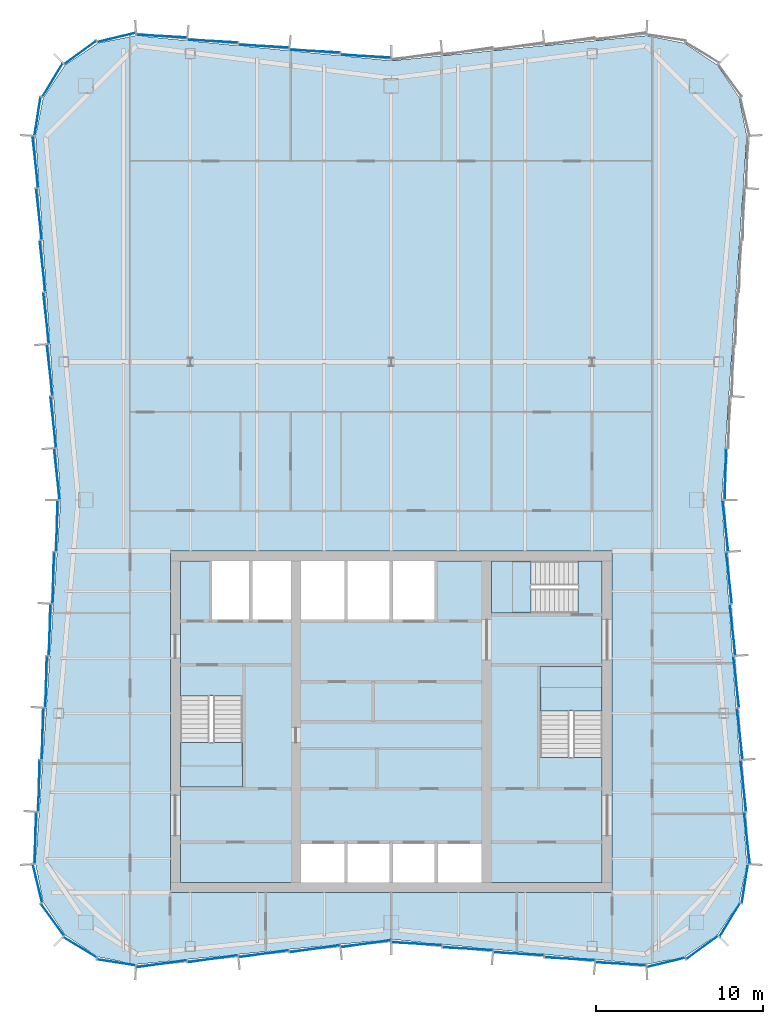
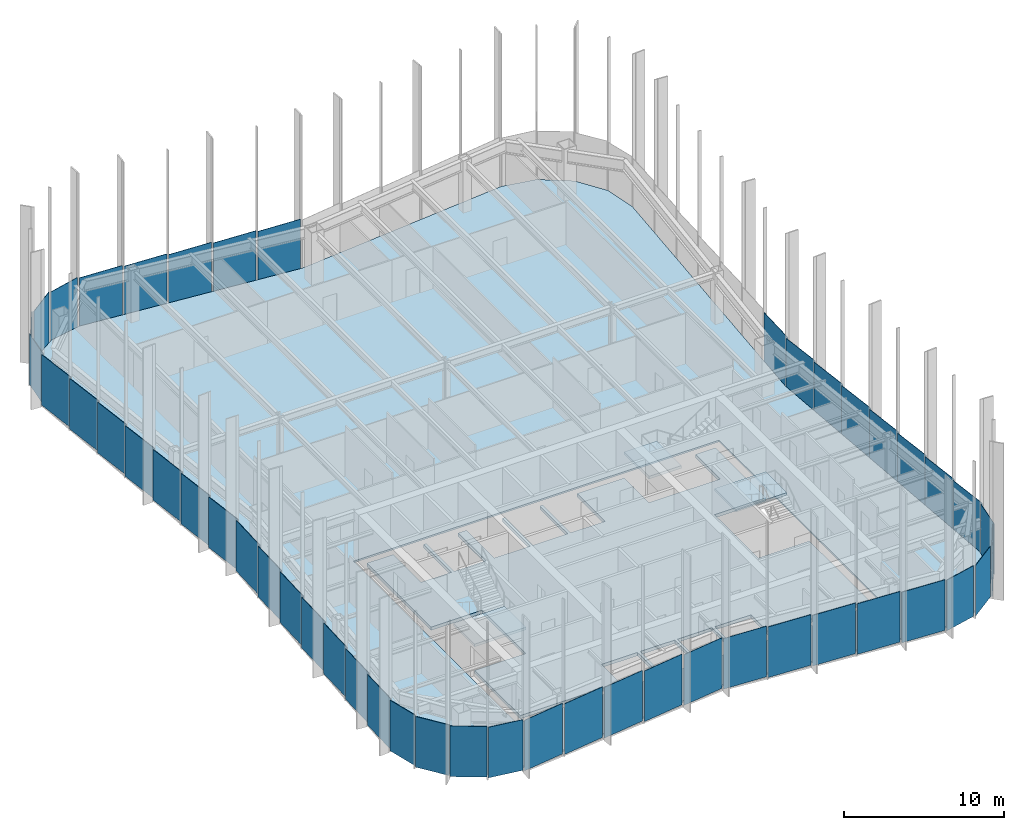
# One storey, part 8 of 13: 49 plates, 5 slabs, 10 elements without a shape of their own.
"""IFC4 building model written with IfcOpenShell, lengths in metres."""

from ifc_helpers import new_model, si_unit, direction, frame, origin, origin_2d, place, context, subcontext, project, spatial, polyline, rectangle, outline, extrude, material, layer, layer_set, type_object, element, aggregate, save


model = new_model("IFC4")

# Units and contexts
model_context = context("Model", 3, precision=1e-05, world=origin(), true_north=direction((0.0, 1.0)))
body_context = subcontext(model_context, "Body", "Model", "MODEL_VIEW")
ifc_project = project(units=[si_unit("LENGTHUNIT", "METRE"), si_unit("AREAUNIT", "SQUARE_METRE"), si_unit("VOLUMEUNIT", "CUBIC_METRE"), si_unit("PLANEANGLEUNIT", "RADIAN"), si_unit("MASSUNIT", "GRAM", prefix="KILO")], contexts=[model_context])

# Site, building, storey
site_placement = place(None, origin())
site = spatial("IfcSite", under=ifc_project, at=site_placement, CompositionType="ELEMENT")
building_placement = place(site_placement, origin())
building = spatial("IfcBuilding", under=site, at=building_placement, Name="Verdant Reach Tower", CompositionType="ELEMENT")
storey_placement = place(building_placement, frame((0.0, 0.0, 306.0)))
storey = spatial("IfcBuildingStorey", under=building, at=storey_placement, Name="L70", CompositionType="ELEMENT", Elevation=306.0)

# Stair, slab
ifc_material_1 = material(Name="Concrete C40/50", Category="concrete")
stair_type = type_object("IfcStairType", Name="CO-STAIR", PredefinedType="HALF_TURN_STAIR", material=ifc_material_1)
stair_1_placement = place(storey_placement, origin())
stair_1 = element("IfcStair", 1, at=stair_1_placement, inside=storey, type_object=stair_type, Name="L70 Exit stair 1", PredefinedType="HALF_TURN_STAIR")
ifc_layer_1 = layer(ifc_material_1, 0.199951171875)
ifc_layer_set_1 = layer_set([ifc_layer_1], Name="CO-STAIR-LANDING")
slab_type_1 = type_object("IfcSlabType", Name="CO-STAIR-LANDING", PredefinedType="LANDING", material=ifc_layer_set_1)
slab_1_placement = place(storey_placement, frame((0.0, 0.0, 1.800048828125)))
slab_1 = element("IfcSlab", 2, at=slab_1_placement, type_object=slab_type_1, Name="ST-1 landing 1", PredefinedType="LANDING", context=body_context, shape_type="SweptSolid", body=[
    extrude(outline(polyline([(-12.60009765625, 26.75), (-12.60009765625, 24.10009765625), (-8.89990234375, 24.10009765625), (-8.89990234375, 26.75), (-12.60009765625, 26.75)])), origin(), (0.0, 0.0, 1.0), 0.199951171875),
])
aggregate(stair_1, [slab_1])

stair_2_placement = place(storey_placement, origin())
stair_2 = element("IfcStair", 3, at=stair_2_placement, inside=storey, type_object=stair_type, Name="L70 Exit stair 2", PredefinedType="HALF_TURN_STAIR")
slab_2_placement = place(storey_placement, frame((0.0, 0.0, 1.800048828125)))
slab_2 = element("IfcSlab", 4, at=slab_2_placement, type_object=slab_type_1, Name="ST-2 landing 1", PredefinedType="LANDING", context=body_context, shape_type="SweptSolid", body=[
    extrude(outline(polyline([(12.60009765625, 28.64990234375), (12.60009765625, 31.300048828125), (8.89990234375, 31.300048828125), (8.89990234375, 28.64990234375), (12.60009765625, 28.64990234375)])), origin(), (0.0, 0.0, 1.0), 0.199951171875),
])
aggregate(stair_2, [slab_2])

stair_3_placement = place(storey_placement, origin())
stair_3 = element("IfcStair", 5, at=stair_3_placement, inside=storey, type_object=stair_type, Name="L70 Exit stair 3", PredefinedType="HALF_TURN_STAIR")
slab_3_placement = place(storey_placement, frame((0.0, 0.0, 1.800048828125)))
slab_3 = element("IfcSlab", 6, at=slab_3_placement, type_object=slab_type_1, Name="ST-3 landing 1", PredefinedType="LANDING", context=body_context, shape_type="SweptSolid", body=[
    extrude(outline(polyline([(8.35009765625, 37.60009765625), (6.0, 37.60009765625), (6.0, 34.5), (8.35009765625, 34.5), (8.35009765625, 37.60009765625)])), origin(), (0.0, 0.0, 1.0), 0.199951171875),
])
aggregate(stair_3, [slab_3])

# Curtain wall, plates
ifc_material_2 = material(Name="Anodised aluminium", Category="aluminium")
curtain_wall_type = type_object("IfcCurtainWallType", Name="EN-CW SYSTEM Z5", PredefinedType="NOTDEFINED", material=ifc_material_2)
curtain_wall_1_placement = place(storey_placement, origin())
curtain_wall_1 = element("IfcCurtainWall", 7, at=curtain_wall_1_placement, inside=storey, type_object=curtain_wall_type, Name="Curtain wall south-east corner, L70", PredefinedType="NOTDEFINED")
ifc_material_3 = material(Name="Tinted glass with champagne spandrel", Category="glass")
ifc_layer_2 = layer(ifc_material_3, 0.031982421875)
ifc_layer_set_2 = layer_set([ifc_layer_2], Name="EN-PANEL CHAMPAGNE")
plate_type_1 = type_object("IfcPlateType", Name="EN-PANEL CHAMPAGNE", PredefinedType="CURTAIN_PANEL", material=ifc_layer_set_2)
plate_1_placement = place(storey_placement, frame((16.4228515625, 13.61767578125, -0.219970703125), z_axis=(0.0, 0.0, 1.0), x_axis=(0.971661765526, 0.236375577028, 0.0)))
plate_1 = element("IfcPlate", 8, at=plate_1_placement, type_object=plate_type_1, Name="Glass panel south-east corner 1.1, L70", PredefinedType="CURTAIN_PANEL", context=body_context, shape_type="SweptSolid", body=[
    extrude(rectangle(XDim=2.314453125, YDim=0.031982421875, at=origin_2d()), origin(), (0.0, 0.0, 1.0), 3.8701171875),
])
plate_2_placement = place(storey_placement, frame((18.58203125, 14.51318359375, -0.219970703125), z_axis=(0.0, 0.0, 1.0), x_axis=(0.807456783236, 0.58992672698, 0.0)))
plate_2 = element("IfcPlate", 9, at=plate_2_placement, type_object=plate_type_1, Name="Glass panel south-east corner 2.1, L70", PredefinedType="CURTAIN_PANEL", context=body_context, shape_type="SweptSolid", body=[
    extrude(rectangle(XDim=2.320068359375, YDim=0.031982421875, at=origin_2d()), origin(), (0.0, 0.0, 1.0), 3.8701171875),
])
plate_3_placement = place(storey_placement, frame((20.23681640625, 16.16796875, -0.219970703125), z_axis=(0.0, 0.0, 1.0), x_axis=(0.520291528711, 0.853988714885, 0.0)))
plate_3 = element("IfcPlate", 10, at=plate_3_placement, type_object=plate_type_1, Name="Glass panel south-east corner 3.1, L70", PredefinedType="CURTAIN_PANEL", context=body_context, shape_type="SweptSolid", body=[
    extrude(rectangle(XDim=2.320068359375, YDim=0.031982421875, at=origin_2d()), origin(), (0.0, 0.0, 1.0), 3.8701171875),
])

curtain_wall_2_placement = place(storey_placement, origin())
curtain_wall_2 = element("IfcCurtainWall", 11, at=curtain_wall_2_placement, inside=storey, type_object=curtain_wall_type, Name="Curtain wall east, L70", PredefinedType="NOTDEFINED")
plate_4_placement = place(storey_placement, frame((21.257568359375, 21.053955078125, -0.219970703125), z_axis=(0.0, 0.0, 1.0), x_axis=(-0.110197580247, 0.993909700782, 0.0)))
plate_4 = element("IfcPlate", 12, at=plate_4_placement, type_object=plate_type_1, Name="Glass panel east face part 1 1.1, L70", PredefinedType="CURTAIN_PANEL", context=body_context, shape_type="SweptSolid", body=[
    extrude(rectangle(XDim=3.063720703125, YDim=0.031982421875, at=origin_2d()), origin(), (0.0, 0.0, 1.0), 3.8701171875),
])
plate_5_placement = place(storey_placement, frame((19.971923828125, 39.700439453125, -0.219970703125), z_axis=(0.0, 0.0, 1.0), x_axis=(-0.110605344993, 0.993864406073, 0.0)))
plate_5 = element("IfcPlate", 13, at=plate_5_placement, type_object=plate_type_1, Name="Glass panel east face part 1 7.1, L70", PredefinedType="CURTAIN_PANEL", context=body_context, shape_type="SweptSolid", body=[
    extrude(rectangle(XDim=3.04052734375, YDim=0.031982421875, at=origin_2d()), origin(), (0.0, 0.0, 1.0), 3.8701171875),
])
plate_6_placement = place(storey_placement, frame((19.971923828125, 42.799560546875, -0.219970703125), z_axis=(0.0, 0.0, 1.0), x_axis=(0.027053006415, 0.999634000444, 0.0)))
plate_6 = element("IfcPlate", 14, at=plate_6_placement, type_object=plate_type_1, Name="Glass panel east face part 2 1.1, L70", PredefinedType="CURTAIN_PANEL", context=body_context, shape_type="SweptSolid", body=[
    extrude(rectangle(XDim=3.04052734375, YDim=0.031982421875, at=origin_2d()), origin(), (0.0, 0.0, 1.0), 3.8701171875),
])

# Curtain wall, plate
curtain_wall_3_placement = place(storey_placement, origin())
curtain_wall_3 = element("IfcCurtainWall", 15, at=curtain_wall_3_placement, inside=storey, type_object=curtain_wall_type, Name="Curtain wall north, L70", PredefinedType="NOTDEFINED")
plate_7_placement = place(storey_placement, frame((-1.519287109375, 67.7646484375, -0.219970703125), z_axis=(0.0, 0.0, 1.0), x_axis=(-0.998413420442, 0.05630845301, 0.0)))
plate_7 = element("IfcPlate", 16, at=plate_7_placement, type_object=plate_type_1, Name="Glass panel north face part 2 1.1, L70", PredefinedType="CURTAIN_PANEL", context=body_context, shape_type="SweptSolid", body=[
    extrude(rectangle(XDim=2.987548828125, YDim=0.031982421875, at=origin_2d()), origin(), (0.0, 0.0, 1.0), 3.8701171875),
])

# Curtain wall, plates
curtain_wall_4_placement = place(storey_placement, origin())
curtain_wall_4 = element("IfcCurtainWall", 17, at=curtain_wall_4_placement, inside=storey, type_object=curtain_wall_type, Name="Curtain wall west, L70", PredefinedType="NOTDEFINED")
plate_8_placement = place(storey_placement, frame((-20.61474609375, 52.1171875, -0.219970703125), z_axis=(0.0, 0.0, 1.0), x_axis=(0.110518162674, -0.993874104562, 0.0)))
plate_8 = element("IfcPlate", 18, at=plate_8_placement, type_object=plate_type_1, Name="Glass panel west face part 1 4.1, L70", PredefinedType="CURTAIN_PANEL", context=body_context, shape_type="SweptSolid", body=[
    extrude(rectangle(XDim=3.048583984375, YDim=0.031982421875, at=origin_2d()), origin(), (0.0, 0.0, 1.0), 3.8701171875),
])
plate_9_placement = place(storey_placement, frame((-20.400390625, 49.010009765625, -0.219970703125), z_axis=(0.0, 0.0, 1.0), x_axis=(0.110518162674, -0.993874104562, 0.0)))
plate_9 = element("IfcPlate", 19, at=plate_9_placement, type_object=plate_type_1, Name="Glass panel west face part 1 5.1, L70", PredefinedType="CURTAIN_PANEL", context=body_context, shape_type="SweptSolid", body=[
    extrude(rectangle(XDim=3.048583984375, YDim=0.031982421875, at=origin_2d()), origin(), (0.0, 0.0, 1.0), 3.8701171875),
])
plate_10_placement = place(storey_placement, frame((-20.8291015625, 27.27587890625, -0.219970703125), z_axis=(0.0, 0.0, 1.0), x_axis=(-0.026965318308, -0.999636369691, 0.0)))
plate_10 = element("IfcPlate", 20, at=plate_10_placement, type_object=plate_type_1, Name="Glass panel west face part 2 5.1, L70", PredefinedType="CURTAIN_PANEL", context=body_context, shape_type="SweptSolid", body=[
    extrude(rectangle(XDim=3.048583984375, YDim=0.031982421875, at=origin_2d()), origin(), (0.0, 0.0, 1.0), 3.8701171875),
])
plate_11_placement = place(storey_placement, frame((-21.043212890625, 24.168701171875, -0.219970703125), z_axis=(0.0, 0.0, 1.0), x_axis=(-0.026965318308, -0.999636369691, 0.0)))
plate_11 = element("IfcPlate", 21, at=plate_11_placement, type_object=plate_type_1, Name="Glass panel west face part 2 6.1, L70", PredefinedType="CURTAIN_PANEL", context=body_context, shape_type="SweptSolid", body=[
    extrude(rectangle(XDim=3.048583984375, YDim=0.031982421875, at=origin_2d()), origin(), (0.0, 0.0, 1.0), 3.8701171875),
])
plate_12_placement = place(storey_placement, frame((-21.257568359375, 21.053955078125, -0.219970703125), z_axis=(0.0, 0.0, 1.0), x_axis=(-0.026642881595, -0.999645015423, 0.0)))
plate_12 = element("IfcPlate", 22, at=plate_12_placement, type_object=plate_type_1, Name="Glass panel west face part 2 7.1, L70", PredefinedType="CURTAIN_PANEL", context=body_context, shape_type="SweptSolid", body=[
    extrude(rectangle(XDim=3.063720703125, YDim=0.031982421875, at=origin_2d()), origin(), (0.0, 0.0, 1.0), 3.8701171875),
])

# Curtain wall, plate
curtain_wall_5_placement = place(storey_placement, origin())
curtain_wall_5 = element("IfcCurtainWall", 23, at=curtain_wall_5_placement, inside=storey, type_object=curtain_wall_type, Name="Curtain wall south-west corner, L70", PredefinedType="NOTDEFINED")
plate_13_placement = place(storey_placement, frame((-16.4228515625, 13.61767578125, -0.219970703125), z_axis=(0.0, 0.0, 1.0), x_axis=(0.988033409454, -0.154240013621, 0.0)))
plate_13 = element("IfcPlate", 24, at=plate_13_placement, type_object=plate_type_1, Name="Glass panel south-west corner 4.1, L70", PredefinedType="CURTAIN_PANEL", context=body_context, shape_type="SweptSolid", body=[
    extrude(rectangle(XDim=2.314453125, YDim=0.031982421875, at=origin_2d()), origin(), (0.0, 0.0, 1.0), 3.8701171875),
])

# Curtain wall, plates
curtain_wall_6_placement = place(storey_placement, origin())
curtain_wall_6 = element("IfcCurtainWall", 25, at=curtain_wall_6_placement, inside=storey, type_object=curtain_wall_type, Name="Curtain wall south, L70", PredefinedType="NOTDEFINED")
plate_14_placement = place(storey_placement, frame((-13.72216796875, 13.535400390625, -0.219970703125), z_axis=(0.0, 0.0, 1.0), x_axis=(0.990281521639, 0.139077345032, 0.0)))
plate_14 = element("IfcPlate", 26, at=plate_14_placement, type_object=plate_type_1, Name="Glass panel south face part 1 1.1, L70", PredefinedType="CURTAIN_PANEL", context=body_context, shape_type="SweptSolid", body=[
    extrude(rectangle(XDim=3.015625, YDim=0.031982421875, at=origin_2d()), origin(), (0.0, 0.0, 1.0), 3.8701171875),
])
plate_15_placement = place(storey_placement, frame((-10.663818359375, 13.83544921875, -0.219970703125), z_axis=(0.0, 0.0, 1.0), x_axis=(0.990225318365, 0.139476947446, 0.0)))
plate_15 = element("IfcPlate", 27, at=plate_15_placement, type_object=plate_type_1, Name="Glass panel south face part 1 2.1, L70", PredefinedType="CURTAIN_PANEL", context=body_context, shape_type="SweptSolid", body=[
    extrude(rectangle(XDim=2.998779296875, YDim=0.031982421875, at=origin_2d()), origin(), (0.0, 0.0, 1.0), 3.8701171875),
])
plate_16_placement = place(storey_placement, frame((-7.61376953125, 14.135498046875, -0.219970703125), z_axis=(0.0, 0.0, 1.0), x_axis=(0.990225318365, 0.139476947446, 0.0)))
plate_16 = element("IfcPlate", 28, at=plate_16_placement, type_object=plate_type_1, Name="Glass panel south face part 1 3.1, L70", PredefinedType="CURTAIN_PANEL", context=body_context, shape_type="SweptSolid", body=[
    extrude(rectangle(XDim=2.998779296875, YDim=0.031982421875, at=origin_2d()), origin(), (0.0, 0.0, 1.0), 3.8701171875),
])
plate_17_placement = place(storey_placement, frame((7.61376953125, 14.135498046875, -0.219970703125), z_axis=(0.0, 0.0, 1.0), x_axis=(0.998423588956, -0.056127863106, 0.0)))
plate_17 = element("IfcPlate", 29, at=plate_17_placement, type_object=plate_type_1, Name="Glass panel south face part 2 3.1, L70", PredefinedType="CURTAIN_PANEL", context=body_context, shape_type="SweptSolid", body=[
    extrude(rectangle(XDim=2.998779296875, YDim=0.031982421875, at=origin_2d()), origin(), (0.0, 0.0, 1.0), 3.8701171875),
])
plate_18_placement = place(storey_placement, frame((10.663818359375, 13.83544921875, -0.219970703125), z_axis=(0.0, 0.0, 1.0), x_axis=(0.998423588956, -0.056127863106, 0.0)))
plate_18 = element("IfcPlate", 30, at=plate_18_placement, type_object=plate_type_1, Name="Glass panel south face part 2 4.1, L70", PredefinedType="CURTAIN_PANEL", context=body_context, shape_type="SweptSolid", body=[
    extrude(rectangle(XDim=2.998779296875, YDim=0.031982421875, at=origin_2d()), origin(), (0.0, 0.0, 1.0), 3.8701171875),
])

# Plate
ifc_material_4 = material(Name="Tinted glass with copper spandrel", Category="glass")
ifc_layer_3 = layer(ifc_material_4, 0.031982421875)
ifc_layer_set_3 = layer_set([ifc_layer_3], Name="EN-PANEL COPPER")
plate_type_2 = type_object("IfcPlateType", Name="EN-PANEL COPPER", PredefinedType="CURTAIN_PANEL", material=ifc_layer_set_3)
plate_19_placement = place(storey_placement, frame((21.132080078125, 18.326171875, -0.219970703125), z_axis=(0.0, 0.0, 1.0), x_axis=(0.154337499461, 0.988018186199, 0.0)))
plate_19 = element("IfcPlate", 31, at=plate_19_placement, type_object=plate_type_2, Name="Glass panel south-east corner 4.1, L70", PredefinedType="CURTAIN_PANEL", context=body_context, shape_type="SweptSolid", body=[
    extrude(rectangle(XDim=2.312744140625, YDim=0.031982421875, at=origin_2d()), origin(), (0.0, 0.0, 1.0), 3.8701171875),
])

aggregate(curtain_wall_1, [plate_1, plate_2, plate_3, plate_19])

plate_20_placement = place(storey_placement, frame((21.043212890625, 24.168701171875, -0.219970703125), z_axis=(0.0, 0.0, 1.0), x_axis=(-0.110518162674, 0.993874104562, 0.0)))
plate_20 = element("IfcPlate", 32, at=plate_20_placement, type_object=plate_type_2, Name="Glass panel east face part 1 2.1, L70", PredefinedType="CURTAIN_PANEL", context=body_context, shape_type="SweptSolid", body=[
    extrude(rectangle(XDim=3.048583984375, YDim=0.031982421875, at=origin_2d()), origin(), (0.0, 0.0, 1.0), 3.8701171875),
])

plate_21_placement = place(storey_placement, frame((20.8291015625, 27.27587890625, -0.219970703125), z_axis=(0.0, 0.0, 1.0), x_axis=(-0.110518162674, 0.993874104562, 0.0)))
plate_21 = element("IfcPlate", 33, at=plate_21_placement, type_object=plate_type_2, Name="Glass panel east face part 1 3.1, L70", PredefinedType="CURTAIN_PANEL", context=body_context, shape_type="SweptSolid", body=[
    extrude(rectangle(XDim=3.048583984375, YDim=0.031982421875, at=origin_2d()), origin(), (0.0, 0.0, 1.0), 3.8701171875),
])

plate_22_placement = place(storey_placement, frame((20.61474609375, 30.3828125, -0.219970703125), z_axis=(0.0, 0.0, 1.0), x_axis=(-0.110518162674, 0.993874104562, 0.0)))
plate_22 = element("IfcPlate", 34, at=plate_22_placement, type_object=plate_type_2, Name="Glass panel east face part 1 4.1, L70", PredefinedType="CURTAIN_PANEL", context=body_context, shape_type="SweptSolid", body=[
    extrude(rectangle(XDim=3.048583984375, YDim=0.031982421875, at=origin_2d()), origin(), (0.0, 0.0, 1.0), 3.8701171875),
])

plate_23_placement = place(storey_placement, frame((-4.563720703125, 68.064453125, -0.219970703125), z_axis=(0.0, 0.0, 1.0), x_axis=(-0.998423588956, 0.056127863106, 0.0)))
plate_23 = element("IfcPlate", 35, at=plate_23_placement, type_object=plate_type_2, Name="Glass panel north face part 2 2.1, L70", PredefinedType="CURTAIN_PANEL", context=body_context, shape_type="SweptSolid", body=[
    extrude(rectangle(XDim=2.998779296875, YDim=0.031982421875, at=origin_2d()), origin(), (0.0, 0.0, 1.0), 3.8701171875),
])

plate_24_placement = place(storey_placement, frame((-7.61376953125, 68.364501953125, -0.219970703125), z_axis=(0.0, 0.0, 1.0), x_axis=(-0.998423588956, 0.056127863106, 0.0)))
plate_24 = element("IfcPlate", 36, at=plate_24_placement, type_object=plate_type_2, Name="Glass panel north face part 2 3.1, L70", PredefinedType="CURTAIN_PANEL", context=body_context, shape_type="SweptSolid", body=[
    extrude(rectangle(XDim=2.998779296875, YDim=0.031982421875, at=origin_2d()), origin(), (0.0, 0.0, 1.0), 3.8701171875),
])

# Curtain wall, plates
curtain_wall_7_placement = place(storey_placement, origin())
curtain_wall_7 = element("IfcCurtainWall", 37, at=curtain_wall_7_placement, inside=storey, type_object=curtain_wall_type, Name="Curtain wall north-west corner, L70", PredefinedType="NOTDEFINED")
plate_25_placement = place(storey_placement, frame((-16.4228515625, 68.88232421875, -0.219970703125), z_axis=(0.0, 0.0, 1.0), x_axis=(-0.971661765526, -0.236375577028, 0.0)))
plate_25 = element("IfcPlate", 38, at=plate_25_placement, type_object=plate_type_2, Name="Glass panel north-west corner 1.1, L70", PredefinedType="CURTAIN_PANEL", context=body_context, shape_type="SweptSolid", body=[
    extrude(rectangle(XDim=2.314453125, YDim=0.031982421875, at=origin_2d()), origin(), (0.0, 0.0, 1.0), 3.8701171875),
])
plate_26_placement = place(storey_placement, frame((-18.58203125, 67.98681640625, -0.219970703125), z_axis=(0.0, 0.0, 1.0), x_axis=(-0.807456783236, -0.58992672698, 0.0)))
plate_26 = element("IfcPlate", 39, at=plate_26_placement, type_object=plate_type_2, Name="Glass panel north-west corner 2.1, L70", PredefinedType="CURTAIN_PANEL", context=body_context, shape_type="SweptSolid", body=[
    extrude(rectangle(XDim=2.320068359375, YDim=0.031982421875, at=origin_2d()), origin(), (0.0, 0.0, 1.0), 3.8701171875),
])

# Plate
plate_27_placement = place(storey_placement, frame((-20.18603515625, 45.90283203125, -0.219970703125), z_axis=(0.0, 0.0, 1.0), x_axis=(0.110518162674, -0.993874104562, 0.0)))
plate_27 = element("IfcPlate", 40, at=plate_27_placement, type_object=plate_type_2, Name="Glass panel west face part 1 6.1, L70", PredefinedType="CURTAIN_PANEL", context=body_context, shape_type="SweptSolid", body=[
    extrude(rectangle(XDim=3.048583984375, YDim=0.031982421875, at=origin_2d()), origin(), (0.0, 0.0, 1.0), 3.8701171875),
])

plate_28_placement = place(storey_placement, frame((-19.971923828125, 42.799560546875, -0.219970703125), z_axis=(0.0, 0.0, 1.0), x_axis=(0.110605344993, -0.993864406073, 0.0)))
plate_28 = element("IfcPlate", 41, at=plate_28_placement, type_object=plate_type_2, Name="Glass panel west face part 1 7.1, L70", PredefinedType="CURTAIN_PANEL", context=body_context, shape_type="SweptSolid", body=[
    extrude(rectangle(XDim=3.04052734375, YDim=0.031982421875, at=origin_2d()), origin(), (0.0, 0.0, 1.0), 3.8701171875),
])

plate_29_placement = place(storey_placement, frame((-19.971923828125, 39.700439453125, -0.219970703125), z_axis=(0.0, 0.0, 1.0), x_axis=(-0.027053006415, -0.999634000444, 0.0)))
plate_29 = element("IfcPlate", 42, at=plate_29_placement, type_object=plate_type_2, Name="Glass panel west face part 2 1.1, L70", PredefinedType="CURTAIN_PANEL", context=body_context, shape_type="SweptSolid", body=[
    extrude(rectangle(XDim=3.04052734375, YDim=0.031982421875, at=origin_2d()), origin(), (0.0, 0.0, 1.0), 3.8701171875),
])

plate_30_placement = place(storey_placement, frame((-20.18603515625, 36.59716796875, -0.219970703125), z_axis=(0.0, 0.0, 1.0), x_axis=(-0.026965318308, -0.999636369691, 0.0)))
plate_30 = element("IfcPlate", 43, at=plate_30_placement, type_object=plate_type_2, Name="Glass panel west face part 2 2.1, L70", PredefinedType="CURTAIN_PANEL", context=body_context, shape_type="SweptSolid", body=[
    extrude(rectangle(XDim=3.048583984375, YDim=0.031982421875, at=origin_2d()), origin(), (0.0, 0.0, 1.0), 3.8701171875),
])

plate_31_placement = place(storey_placement, frame((-4.563720703125, 14.435546875, -0.219970703125), z_axis=(0.0, 0.0, 1.0), x_axis=(0.990225318365, 0.139476947446, 0.0)))
plate_31 = element("IfcPlate", 44, at=plate_31_placement, type_object=plate_type_2, Name="Glass panel south face part 1 4.1, L70", PredefinedType="CURTAIN_PANEL", context=body_context, shape_type="SweptSolid", body=[
    extrude(rectangle(XDim=2.998779296875, YDim=0.031982421875, at=origin_2d()), origin(), (0.0, 0.0, 1.0), 3.8701171875),
])

plate_32_placement = place(storey_placement, frame((-1.519287109375, 14.7353515625, -0.219970703125), z_axis=(0.0, 0.0, 1.0), x_axis=(0.990200074141, 0.139656053116, 0.0)))
plate_32 = element("IfcPlate", 45, at=plate_32_placement, type_object=plate_type_2, Name="Glass panel south face part 1 5.1, L70", PredefinedType="CURTAIN_PANEL", context=body_context, shape_type="SweptSolid", body=[
    extrude(rectangle(XDim=2.987548828125, YDim=0.031982421875, at=origin_2d()), origin(), (0.0, 0.0, 1.0), 3.8701171875),
])

plate_33_placement = place(storey_placement, frame((13.72216796875, 13.535400390625, -0.219970703125), z_axis=(0.0, 0.0, 1.0), x_axis=(0.998446157248, -0.055724959185, 0.0)))
plate_33 = element("IfcPlate", 46, at=plate_33_placement, type_object=plate_type_2, Name="Glass panel south face part 2 5.1, L70", PredefinedType="CURTAIN_PANEL", context=body_context, shape_type="SweptSolid", body=[
    extrude(rectangle(XDim=3.015625, YDim=0.031982421875, at=origin_2d()), origin(), (0.0, 0.0, 1.0), 3.8701171875),
])

ifc_material_5 = material(Name="Tinted glass with dark bronze spandrel", Category="glass")
ifc_layer_4 = layer(ifc_material_5, 0.031982421875)
ifc_layer_set_4 = layer_set([ifc_layer_4], Name="EN-PANEL DARK")
plate_type_3 = type_object("IfcPlateType", Name="EN-PANEL DARK", PredefinedType="CURTAIN_PANEL", material=ifc_layer_set_4)
plate_34_placement = place(storey_placement, frame((20.400390625, 33.489990234375, -0.219970703125), z_axis=(0.0, 0.0, 1.0), x_axis=(-0.110518162674, 0.993874104562, 0.0)))
plate_34 = element("IfcPlate", 47, at=plate_34_placement, type_object=plate_type_3, Name="Glass panel east face part 1 5.1, L70", PredefinedType="CURTAIN_PANEL", context=body_context, shape_type="SweptSolid", body=[
    extrude(rectangle(XDim=3.048583984375, YDim=0.031982421875, at=origin_2d()), origin(), (0.0, 0.0, 1.0), 3.8701171875),
])

plate_35_placement = place(storey_placement, frame((20.18603515625, 36.59716796875, -0.219970703125), z_axis=(0.0, 0.0, 1.0), x_axis=(-0.110518162674, 0.993874104562, 0.0)))
plate_35 = element("IfcPlate", 48, at=plate_35_placement, type_object=plate_type_3, Name="Glass panel east face part 1 6.1, L70", PredefinedType="CURTAIN_PANEL", context=body_context, shape_type="SweptSolid", body=[
    extrude(rectangle(XDim=3.048583984375, YDim=0.031982421875, at=origin_2d()), origin(), (0.0, 0.0, 1.0), 3.8701171875),
])

aggregate(curtain_wall_2, [plate_4, plate_20, plate_21, plate_22, plate_34, plate_35, plate_5, plate_6])

plate_36_placement = place(storey_placement, frame((-10.663818359375, 68.66455078125, -0.219970703125), z_axis=(0.0, 0.0, 1.0), x_axis=(-0.998423588956, 0.056127863106, 0.0)))
plate_36 = element("IfcPlate", 49, at=plate_36_placement, type_object=plate_type_3, Name="Glass panel north face part 2 4.1, L70", PredefinedType="CURTAIN_PANEL", context=body_context, shape_type="SweptSolid", body=[
    extrude(rectangle(XDim=2.998779296875, YDim=0.031982421875, at=origin_2d()), origin(), (0.0, 0.0, 1.0), 3.8701171875),
])

plate_37_placement = place(storey_placement, frame((-13.72216796875, 68.964599609375, -0.219970703125), z_axis=(0.0, 0.0, 1.0), x_axis=(-0.998446157248, 0.055724959185, 0.0)))
plate_37 = element("IfcPlate", 50, at=plate_37_placement, type_object=plate_type_3, Name="Glass panel north face part 2 5.1, L70", PredefinedType="CURTAIN_PANEL", context=body_context, shape_type="SweptSolid", body=[
    extrude(rectangle(XDim=3.015625, YDim=0.031982421875, at=origin_2d()), origin(), (0.0, 0.0, 1.0), 3.8701171875),
])

aggregate(curtain_wall_3, [plate_7, plate_23, plate_24, plate_36, plate_37])

plate_38_placement = place(storey_placement, frame((-20.23681640625, 66.33203125, -0.219970703125), z_axis=(0.0, 0.0, 1.0), x_axis=(-0.520291528711, -0.853988714885, 0.0)))
plate_38 = element("IfcPlate", 51, at=plate_38_placement, type_object=plate_type_3, Name="Glass panel north-west corner 3.1, L70", PredefinedType="CURTAIN_PANEL", context=body_context, shape_type="SweptSolid", body=[
    extrude(rectangle(XDim=2.320068359375, YDim=0.031982421875, at=origin_2d()), origin(), (0.0, 0.0, 1.0), 3.8701171875),
])

plate_39_placement = place(storey_placement, frame((-21.132080078125, 64.173828125, -0.219970703125), z_axis=(0.0, 0.0, 1.0), x_axis=(-0.154337499461, -0.988018186199, 0.0)))
plate_39 = element("IfcPlate", 52, at=plate_39_placement, type_object=plate_type_3, Name="Glass panel north-west corner 4.1, L70", PredefinedType="CURTAIN_PANEL", context=body_context, shape_type="SweptSolid", body=[
    extrude(rectangle(XDim=2.312744140625, YDim=0.031982421875, at=origin_2d()), origin(), (0.0, 0.0, 1.0), 3.8701171875),
])

aggregate(curtain_wall_7, [plate_25, plate_26, plate_38, plate_39])

plate_40_placement = place(storey_placement, frame((-21.257568359375, 61.446044921875, -0.219970703125), z_axis=(0.0, 0.0, 1.0), x_axis=(0.110197580247, -0.993909700782, 0.0)))
plate_40 = element("IfcPlate", 53, at=plate_40_placement, type_object=plate_type_3, Name="Glass panel west face part 1 1.1, L70", PredefinedType="CURTAIN_PANEL", context=body_context, shape_type="SweptSolid", body=[
    extrude(rectangle(XDim=3.063720703125, YDim=0.031982421875, at=origin_2d()), origin(), (0.0, 0.0, 1.0), 3.8701171875),
])

plate_41_placement = place(storey_placement, frame((-21.043212890625, 58.331298828125, -0.219970703125), z_axis=(0.0, 0.0, 1.0), x_axis=(0.110518162674, -0.993874104562, 0.0)))
plate_41 = element("IfcPlate", 54, at=plate_41_placement, type_object=plate_type_3, Name="Glass panel west face part 1 2.1, L70", PredefinedType="CURTAIN_PANEL", context=body_context, shape_type="SweptSolid", body=[
    extrude(rectangle(XDim=3.048583984375, YDim=0.031982421875, at=origin_2d()), origin(), (0.0, 0.0, 1.0), 3.8701171875),
])

plate_42_placement = place(storey_placement, frame((-20.8291015625, 55.22412109375, -0.219970703125), z_axis=(0.0, 0.0, 1.0), x_axis=(0.110518162674, -0.993874104562, 0.0)))
plate_42 = element("IfcPlate", 55, at=plate_42_placement, type_object=plate_type_3, Name="Glass panel west face part 1 3.1, L70", PredefinedType="CURTAIN_PANEL", context=body_context, shape_type="SweptSolid", body=[
    extrude(rectangle(XDim=3.048583984375, YDim=0.031982421875, at=origin_2d()), origin(), (0.0, 0.0, 1.0), 3.8701171875),
])

plate_43_placement = place(storey_placement, frame((-20.400390625, 33.489990234375, -0.219970703125), z_axis=(0.0, 0.0, 1.0), x_axis=(-0.026965318308, -0.999636369691, 0.0)))
plate_43 = element("IfcPlate", 56, at=plate_43_placement, type_object=plate_type_3, Name="Glass panel west face part 2 3.1, L70", PredefinedType="CURTAIN_PANEL", context=body_context, shape_type="SweptSolid", body=[
    extrude(rectangle(XDim=3.048583984375, YDim=0.031982421875, at=origin_2d()), origin(), (0.0, 0.0, 1.0), 3.8701171875),
])

plate_44_placement = place(storey_placement, frame((-20.61474609375, 30.3828125, -0.219970703125), z_axis=(0.0, 0.0, 1.0), x_axis=(-0.026965318308, -0.999636369691, 0.0)))
plate_44 = element("IfcPlate", 57, at=plate_44_placement, type_object=plate_type_3, Name="Glass panel west face part 2 4.1, L70", PredefinedType="CURTAIN_PANEL", context=body_context, shape_type="SweptSolid", body=[
    extrude(rectangle(XDim=3.048583984375, YDim=0.031982421875, at=origin_2d()), origin(), (0.0, 0.0, 1.0), 3.8701171875),
])

aggregate(curtain_wall_4, [plate_40, plate_41, plate_42, plate_8, plate_9, plate_27, plate_28, plate_29, plate_30, plate_43, plate_44, plate_10, plate_11, plate_12])

plate_45_placement = place(storey_placement, frame((-21.132080078125, 18.326171875, -0.219970703125), z_axis=(0.0, 0.0, 1.0), x_axis=(0.236471447122, -0.971638438256, 0.0)))
plate_45 = element("IfcPlate", 58, at=plate_45_placement, type_object=plate_type_3, Name="Glass panel south-west corner 1.1, L70", PredefinedType="CURTAIN_PANEL", context=body_context, shape_type="SweptSolid", body=[
    extrude(rectangle(XDim=2.312744140625, YDim=0.031982421875, at=origin_2d()), origin(), (0.0, 0.0, 1.0), 3.8701171875),
])

plate_46_placement = place(storey_placement, frame((-20.23681640625, 16.16796875, -0.219970703125), z_axis=(0.0, 0.0, 1.0), x_axis=(0.58992672698, -0.807456783236, 0.0)))
plate_46 = element("IfcPlate", 59, at=plate_46_placement, type_object=plate_type_3, Name="Glass panel south-west corner 2.1, L70", PredefinedType="CURTAIN_PANEL", context=body_context, shape_type="SweptSolid", body=[
    extrude(rectangle(XDim=2.320068359375, YDim=0.031982421875, at=origin_2d()), origin(), (0.0, 0.0, 1.0), 3.8701171875),
])

plate_47_placement = place(storey_placement, frame((-18.58203125, 14.51318359375, -0.219970703125), z_axis=(0.0, 0.0, 1.0), x_axis=(0.853988714885, -0.520291528711, 0.0)))
plate_47 = element("IfcPlate", 60, at=plate_47_placement, type_object=plate_type_3, Name="Glass panel south-west corner 3.1, L70", PredefinedType="CURTAIN_PANEL", context=body_context, shape_type="SweptSolid", body=[
    extrude(rectangle(XDim=2.320068359375, YDim=0.031982421875, at=origin_2d()), origin(), (0.0, 0.0, 1.0), 3.8701171875),
])

aggregate(curtain_wall_5, [plate_45, plate_46, plate_47, plate_13])

plate_48_placement = place(storey_placement, frame((1.519287109375, 14.7353515625, -0.219970703125), z_axis=(0.0, 0.0, 1.0), x_axis=(0.998413420442, -0.05630845301, 0.0)))
plate_48 = element("IfcPlate", 61, at=plate_48_placement, type_object=plate_type_3, Name="Glass panel south face part 2 1.1, L70", PredefinedType="CURTAIN_PANEL", context=body_context, shape_type="SweptSolid", body=[
    extrude(rectangle(XDim=2.987548828125, YDim=0.031982421875, at=origin_2d()), origin(), (0.0, 0.0, 1.0), 3.8701171875),
])

plate_49_placement = place(storey_placement, frame((4.563720703125, 14.435546875, -0.219970703125), z_axis=(0.0, 0.0, 1.0), x_axis=(0.998423588956, -0.056127863106, 0.0)))
plate_49 = element("IfcPlate", 62, at=plate_49_placement, type_object=plate_type_3, Name="Glass panel south face part 2 2.1, L70", PredefinedType="CURTAIN_PANEL", context=body_context, shape_type="SweptSolid", body=[
    extrude(rectangle(XDim=2.998779296875, YDim=0.031982421875, at=origin_2d()), origin(), (0.0, 0.0, 1.0), 3.8701171875),
])

aggregate(curtain_wall_6, [plate_14, plate_15, plate_16, plate_31, plate_32, plate_48, plate_49, plate_17, plate_18, plate_33])

# Slabs
ifc_material_6 = material(Name="Concrete C35/45", Category="concrete")
ifc_layer_5 = layer(ifc_material_6, 0.1298828125)
ifc_layer_set_5 = layer_set([ifc_layer_5], Name="ST-SLAB-130")
slab_type_2 = type_object("IfcSlabType", Name="ST-SLAB-130", PredefinedType="FLOOR", material=ifc_layer_set_5)
slab_4_placement = place(storey_placement, frame((0.0, 0.0, -0.1298828125)))
element("IfcSlab", 63, at=slab_4_placement, inside=storey, type_object=slab_type_2, Name="Floor slab L70", PredefinedType="FLOOR", context=body_context, shape_type="SweptSolid", body=[
    extrude(outline(polyline([(0.0, 15.0), (-15.25, 13.5), (-17.546142578125, 13.956787109375), (-19.49267578125, 15.25732421875), (-20.793212890625, 17.203857421875), (-21.25, 19.5), (-19.75, 41.25), (-21.25, 63.0), (-20.793212890625, 65.296142578125), (-19.49267578125, 67.24267578125), (-17.546142578125, 68.543212890625), (-15.25, 69.0), (0.0, 67.5), (15.25, 69.0), (17.546142578125, 68.543212890625), (19.49267578125, 67.24267578125), (20.793212890625, 65.296142578125), (21.25, 63.0), (19.75, 41.25), (21.25, 19.5), (20.793212890625, 17.203857421875), (19.49267578125, 15.25732421875), (17.546142578125, 13.956787109375), (15.25, 13.5), (0.0, 15.0)]), holes=[polyline([(13.199951171875, 38.199951171875), (-13.199951171875, 38.199951171875), (-13.199951171875, 17.800048828125), (13.199951171875, 17.800048828125), (13.199951171875, 38.199951171875)])]), origin(), (0.0, 0.0, 1.0), 0.1298828125),
])
ifc_layer_6 = layer(ifc_material_6, 0.25)
ifc_layer_set_6 = layer_set([ifc_layer_6], Name="ST-SLAB-250")
slab_type_3 = type_object("IfcSlabType", Name="ST-SLAB-250", PredefinedType="FLOOR", material=ifc_layer_set_6)
slab_5_placement = place(storey_placement, frame((0.0, 0.0, -0.25)))
element("IfcSlab", 64, at=slab_5_placement, inside=storey, type_object=slab_type_3, Name="Core floor slab L70", PredefinedType="FLOOR", context=body_context, shape_type="SweptSolid", body=[
    extrude(outline(polyline([(12.60009765625, 18.39990234375), (5.39990234375, 18.39990234375), (5.39990234375, 20.699951171875), (2.800048828125, 20.699951171875), (2.800048828125, 18.39990234375), (2.60009765625, 18.39990234375), (2.60009765625, 20.699951171875), (0.10009765625, 20.699951171875), (0.10009765625, 18.39990234375), (-0.10009765625, 18.39990234375), (-0.10009765625, 20.699951171875), (-2.60009765625, 20.699951171875), (-2.60009765625, 18.39990234375), (-2.800048828125, 18.39990234375), (-2.800048828125, 20.699951171875), (-5.39990234375, 20.699951171875), (-5.39990234375, 18.39990234375), (-12.60009765625, 18.39990234375), (-12.60009765625, 24.10009765625), (-8.89990234375, 24.10009765625), (-8.89990234375, 29.548095703125), (-12.60009765625, 29.548095703125), (-12.60009765625, 37.60009765625), (-10.699951171875, 37.60009765625), (-10.699951171875, 34.10009765625), (-8.5, 34.10009765625), (-8.5, 37.60009765625), (-8.300048828125, 37.60009765625), (-8.300048828125, 34.10009765625), (-6.0, 34.10009765625), (-6.0, 37.60009765625), (-5.39990234375, 37.60009765625), (-5.39990234375, 34.10009765625), (-2.800048828125, 34.10009765625), (-2.800048828125, 37.60009765625), (-2.60009765625, 37.60009765625), (-2.60009765625, 34.10009765625), (-0.10009765625, 34.10009765625), (-0.10009765625, 37.60009765625), (0.10009765625, 37.60009765625), (0.10009765625, 34.10009765625), (2.60009765625, 34.10009765625), (2.60009765625, 37.60009765625), (6.0, 37.60009765625), (6.0, 34.5), (11.14794921875, 34.5), (11.14794921875, 37.60009765625), (12.60009765625, 37.60009765625), (12.60009765625, 31.300048828125), (8.89990234375, 31.300048828125), (8.89990234375, 25.85205078125), (12.60009765625, 25.85205078125), (12.60009765625, 18.39990234375)])), origin(), (0.0, 0.0, 1.0), 0.25),
])

save(model, "model.ifc")
